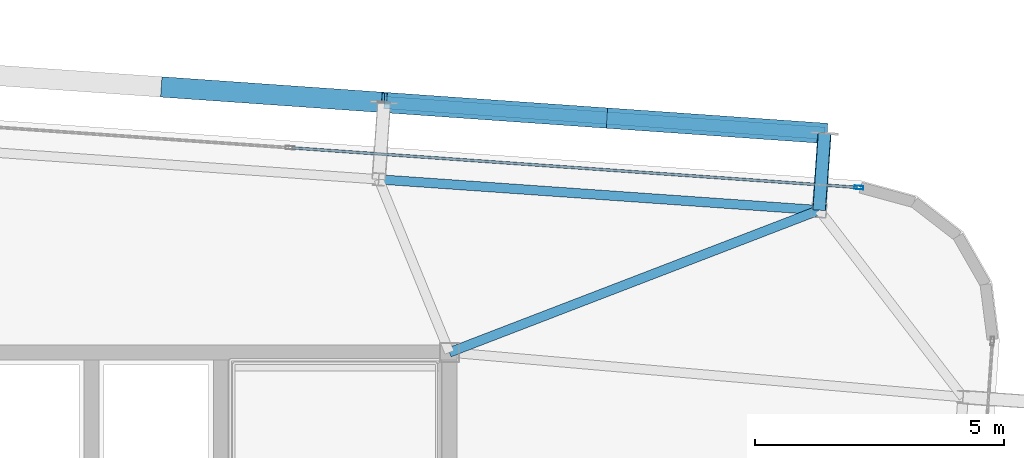
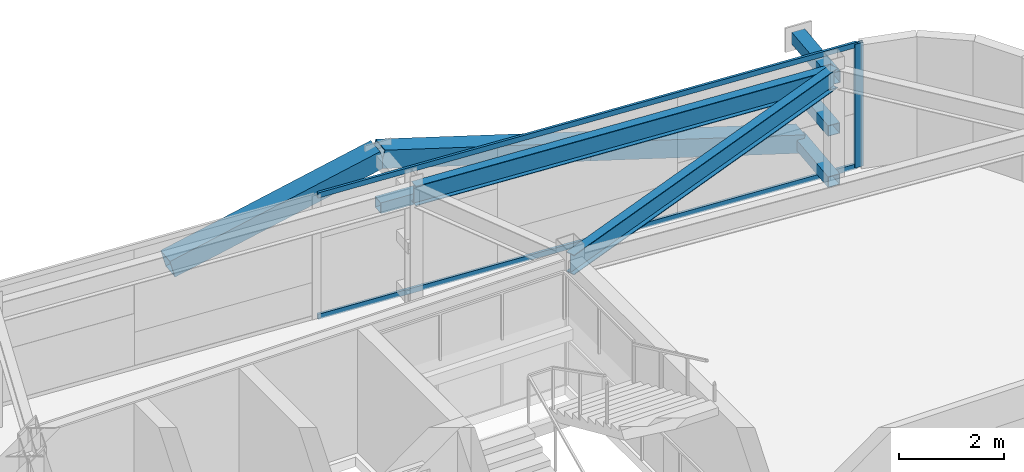
# One storey, part 24 of 39: 10 members, 2 beams, 1 element without a shape of its own.
"""IFC4 building model written with IfcOpenShell, lengths in metres."""

from ifc_helpers import new_model, si_unit, direction, frame, origin, origin_2d, place, context, subcontext, project, spatial, hollow_rectangle, i_section, extrude, source, transform, mapped, material, layer, layer_set, material_profile, profile_set, type_object, element, aggregate, save


model = new_model("IFC4")

# Units and contexts
model_context = context("Model", 3, precision=1e-05, world=origin(), true_north=direction((0.0, 1.0)))
body_context = subcontext(model_context, "Body", "Model", "MODEL_VIEW")
ifc_project = project(units=[si_unit("LENGTHUNIT", "METRE"), si_unit("AREAUNIT", "SQUARE_METRE"), si_unit("VOLUMEUNIT", "CUBIC_METRE"), si_unit("PLANEANGLEUNIT", "RADIAN"), si_unit("MASSUNIT", "GRAM", prefix="KILO")], contexts=[model_context])

# Site, building, storey
site_placement = place(None, origin())
site = spatial("IfcSite", under=ifc_project, at=site_placement, CompositionType="ELEMENT")
building_placement = place(site_placement, origin())
building = spatial("IfcBuilding", under=site, at=building_placement, Name="Taldren Reach Tower", CompositionType="ELEMENT")
storey_placement = place(building_placement, frame((0.0, 0.0, 161.35009765625)))
storey = spatial("IfcBuildingStorey", under=building, at=storey_placement, Name="L49", CompositionType="ELEMENT", Elevation=161.35009765625)

# Members
ifc_material_1 = material(Name="Steel Gr 450 (C450L0)", Category="steel")
ifc_material_profile_1 = material_profile(ifc_material_1, hollow_rectangle(XDim=0.27490234375, YDim=0.27490234375, WallThickness=0.00927734375, at=origin_2d()), Name="275x275x9.3SHS")
ifc_profile_set_1 = profile_set([ifc_material_profile_1], Name="Steel Gr 450 (C450L0)")
member_type_1 = type_object("IfcMemberType", Name="MB-TIE273", PredefinedType="STRUT", material=ifc_profile_set_1)
shared_shape_1 = source(origin(), body_context, "Body", "SweptSolid", [
    extrude(hollow_rectangle(XDim=0.27490234375, YDim=0.27490234375, WallThickness=0.00927734375, at=origin_2d()), origin(), (0.0, 0.0, 1.0), 1.5498046875),
])
member_1_placement = place(storey_placement, frame((58.4365234375, 34.861572265625, 2.58984375), z_axis=(0.069780535098, 0.997562367434, 0.0), x_axis=(-0.997562367434, 0.069780535098, 0.0)))
element("IfcMember", 1, at=member_1_placement, inside=storey, type_object=member_type_1, Name="Exoskeleton diaphragm tie strut B3-N6 L49", PredefinedType="STRUT", context=body_context, shape_type="MappedRepresentation", body=[
    mapped(shared_shape_1, transform((0.0, 0.0, 0.0), scale=1.0)),
])
ifc_material_2 = material(Name="Steel Gr 350 (C350L0)", Category="steel")
ifc_material_profile_2 = material_profile(ifc_material_2, hollow_rectangle(XDim=0.25, YDim=0.25, WallThickness=0.010009765625, at=origin_2d()), Name="250x250x10.0SHS")
ifc_profile_set_2 = profile_set([ifc_material_profile_2], Name="Steel Gr 350 (C350L0)")
member_type_2 = type_object("IfcMemberType", Name="MB-POST250", PredefinedType="POST", material=ifc_profile_set_2)
shared_shape_2 = source(origin(), body_context, "Body", "SweptSolid", [
    extrude(hollow_rectangle(XDim=0.25, YDim=0.25, WallThickness=0.010009765625, at=origin_2d()), origin(), (0.0, 0.0, 1.0), 1.5498046875),
])
for number, where, z_axis, x_axis, name in (
    (2, (58.4365234375, 34.861572265625, 0.219970703125), (0.069780535098, 0.997562367434, 0.0), (-0.997562367434, 0.069780535098, 0.0), "Exoskeleton base diaphragm tie strut B3-N6 L49"),
    (3, (58.4365234375, 34.861572265625, 1.40478515625), (0.069780535098, 0.997562367434, 0.0), (-0.997562367434, 0.069780535098, 0.0), "Exoskeleton mid-tier diaphragm tie B3-N6 L49"),
):
    element("IfcMember", number, at=place(storey_placement, frame(where, z_axis=z_axis, x_axis=x_axis)), inside=storey, type_object=member_type_2, Name=name, PredefinedType="POST", context=body_context, shape_type="MappedRepresentation", body=[
        mapped(shared_shape_2, transform((0.0, 0.0, 0.0), scale=1.0)),
    ])

# Beams
ifc_material_3 = material(Name="Steel Gr 350 (350PLUS)", Category="steel")
ifc_material_profile_3 = material_profile(ifc_material_3, i_section(OverallWidth=0.18994140625, OverallDepth=0.4541015625, WebThickness=0.008544921875, FlangeThickness=0.0126953125, at=origin_2d()), Name="460UB67.1")
ifc_profile_set_3 = profile_set([ifc_material_profile_3], Name="Steel Gr 350 (350PLUS)")
beam_type_1 = type_object("IfcBeamType", Name="SP-UB460B", PredefinedType="SPANDREL", material=ifc_profile_set_3)
shared_shape_3 = source(origin(), body_context, "Body", "SweptSolid", [
    extrude(i_section(OverallWidth=0.18994140625, OverallDepth=0.4541015625, WebThickness=0.008544921875, FlangeThickness=0.0126953125, at=origin_2d()), origin(), (0.0, 0.0, 1.0), 8.880126953125),
])
beam_1_placement = place(storey_placement, frame((58.4365234375, 34.861572265625, 2.642822265625), z_axis=(-0.997564479639, 0.069750333063, 0.0), x_axis=(-0.069750333063, -0.997564479639, 0.0)))
element("IfcBeam", 4, at=beam_1_placement, inside=storey, type_object=beam_type_1, Name="Perimeter spandrel B3 N6-N5 L49", PredefinedType="SPANDREL", context=body_context, shape_type="MappedRepresentation", body=[
    mapped(shared_shape_3, transform((0.0, 0.0, 0.0), scale=1.0)),
])
ifc_material_profile_4 = material_profile(ifc_material_3, i_section(OverallWidth=0.19091796875, OverallDepth=0.4599609375, WebThickness=0.010009765625, FlangeThickness=0.01611328125, at=origin_2d()), Name="460UB82.1")
ifc_profile_set_4 = profile_set([ifc_material_profile_4], Name="Steel Gr 350 (350PLUS)")
beam_type_2 = type_object("IfcBeamType", Name="BM-UB460A", PredefinedType="BEAM", material=ifc_profile_set_4)
shared_shape_4 = source(origin(), body_context, "Body", "SweptSolid", [
    extrude(i_section(OverallWidth=0.19091796875, OverallDepth=0.4599609375, WebThickness=0.010009765625, FlangeThickness=0.01611328125, at=origin_2d()), origin(), (0.0, 0.0, 1.0), 7.968017578125),
])
beam_2_placement = place(storey_placement, frame((51.0, 32.0, 2.639892578125), z_axis=(0.933287947144, 0.359128956943, 0.0), x_axis=(-0.359128956943, 0.933287947144, 0.0)))
element("IfcBeam", 5, at=beam_2_placement, inside=storey, type_object=beam_type_2, Name="Primary floor girder B3-N6 L49", PredefinedType="BEAM", context=body_context, shape_type="MappedRepresentation", body=[
    mapped(shared_shape_4, transform((0.0, 0.0, 0.0), scale=1.0)),
])

# Members
shared_shape_5 = source(origin(), body_context, "Body", "SweptSolid", [
    extrude(hollow_rectangle(XDim=0.25, YDim=0.25, WallThickness=0.010009765625, at=origin_2d()), origin(), (0.0, 0.0, 1.0), 8.880126953125),
])
member_2_placement = place(storey_placement, frame((49.686279296875, 37.02734375, 1.40478515625), z_axis=(0.997562566276, -0.06977769246, 0.0), x_axis=(0.06977769246, 0.997562566276, 0.0)))
element("IfcMember", 6, at=member_2_placement, inside=storey, type_object=member_type_2, Name="Exoskeleton mid-height ring chord B3-N5 L49", PredefinedType="POST", context=body_context, shape_type="MappedRepresentation", body=[
    mapped(shared_shape_5, transform((0.0, 0.0, 0.0), scale=1.0)),
])
ifc_material_profile_5 = material_profile(ifc_material_1, hollow_rectangle(XDim=0.409912109375, YDim=0.409912109375, WallThickness=0.01611328125, at=origin_2d()), Name="410x410x16.0SHS")
ifc_profile_set_5 = profile_set([ifc_material_profile_5], Name="Steel Gr 450 (C450L0)")
member_type_3 = type_object("IfcMemberType", Name="MB-EXO406", PredefinedType="BRACE", material=ifc_profile_set_5)
shared_shape_6 = source(origin(), body_context, "Body", "SweptSolid", [
    extrude(hollow_rectangle(XDim=0.409912109375, YDim=0.409912109375, WallThickness=0.01611328125, at=origin_2d()), origin(), (0.0, 0.0, 1.0), 4.595458984375),
])
for number, where, z_axis, x_axis, name in (
    (7, (45.257080078125, 37.3369140625, 1.40478515625), (0.963826332135, -0.067364777265, 0.257877467544), (0.069722973508, 0.997566392259, 0.0), "Exoskeleton Diagrid Brace B3-N4 L49"),
    (8, (58.544677734375, 36.40771484375, 0.219970703125), (-0.963836084766, 0.06741858624, 0.257826949585), (-0.06977769246, -0.997562566276, 0.0), "Exoskeleton Diagrid Brace B3-N5 L49"),
    (9, (54.115478515625, 36.717529296875, 1.40478515625), (-0.96382288138, 0.067417662687, 0.257876544274), (-0.06977769246, -0.997562566276, 0.0), "Exoskeleton Diagrid Brace B3-N5 L49"),
):
    element("IfcMember", number, at=place(storey_placement, frame(where, z_axis=z_axis, x_axis=x_axis)), inside=storey, type_object=member_type_3, Name=name, PredefinedType="BRACE", context=body_context, shape_type="MappedRepresentation", body=[
        mapped(shared_shape_6, transform((0.0, 0.0, 0.0), scale=1.0)),
    ])

# Curtain wall, members
ifc_material_4 = material(Name="Aluminium and Low-E Glass Unitised System", Category="aluminium")
ifc_layer = layer(ifc_material_4, 0.159912109375)
ifc_layer_set = layer_set([ifc_layer], Name="Aluminium and Low-E Glass Unitised System")
curtain_wall_type = type_object("IfcCurtainWallType", Name="CW-SYS-4", PredefinedType="NOTDEFINED", material=ifc_layer_set)
curtain_wall_placement = place(storey_placement, origin())
curtain_wall = element("IfcCurtainWall", 10, at=curtain_wall_placement, inside=storey, type_object=curtain_wall_type, Name="Unitised curtain wall CW-L49-N", PredefinedType="NOTDEFINED")
ifc_material_5 = material(Name="Anodised Aluminium 6063-T6", Category="aluminium")
ifc_material_profile_6 = material_profile(ifc_material_5, hollow_rectangle(XDim=0.054931640625, YDim=0.1201171875, WallThickness=0.0029296875, at=origin_2d()), Name="ALU-120x55x3RHS")
ifc_profile_set_6 = profile_set([ifc_material_profile_6], Name="Anodised Aluminium 6063-T6")
member_type_4 = type_object("IfcMemberType", Name="CW-TRN-135", PredefinedType="USERDEFINED", material=ifc_profile_set_6)
shared_shape_7 = source(origin(), body_context, "Body", "SweptSolid", [
    extrude(hollow_rectangle(XDim=0.054931640625, YDim=0.1201171875, WallThickness=0.0029296875, at=origin_2d()), origin(), (0.0, 0.0, 1.0), 11.39501953125),
])
member_3_placement = place(storey_placement, frame((59.2001953125, 35.3193359375, 0.02734375), z_axis=(-0.997563740682, 0.069760900766, 0.0), x_axis=(-0.069760900766, -0.997563740682, 0.0)))
member_3 = element("IfcMember", 11, at=member_3_placement, type_object=member_type_4, Name="CW-4 transom 1.1", ObjectType="TRANSOM", PredefinedType="USERDEFINED", context=body_context, shape_type="MappedRepresentation", body=[
    mapped(shared_shape_7, transform((0.0, 0.0, 0.0), scale=1.0)),
])
member_4_placement = place(storey_placement, frame((59.2001953125, 35.3193359375, 2.84228515625), z_axis=(-0.997563740682, 0.069760900766, 0.0), x_axis=(-0.069760900766, -0.997563740682, 0.0)))
member_4 = element("IfcMember", 12, at=member_4_placement, type_object=member_type_4, Name="CW-4 transom 1.2", ObjectType="TRANSOM", PredefinedType="USERDEFINED", context=body_context, shape_type="MappedRepresentation", body=[
    mapped(shared_shape_7, transform((0.0, 0.0, 0.0), scale=1.0)),
])
ifc_material_profile_7 = material_profile(ifc_material_5, hollow_rectangle(XDim=0.070068359375, YDim=0.179931640625, WallThickness=0.00390625, at=origin_2d()), Name="ALU-180x70x4RHS")
ifc_profile_set_7 = profile_set([ifc_material_profile_7], Name="Anodised Aluminium 6063-T6")
member_type_5 = type_object("IfcMemberType", Name="CW-MUL-180", PredefinedType="MULLION", material=ifc_profile_set_7)
shared_shape_8 = source(origin(), body_context, "Body", "SweptSolid", [
    extrude(hollow_rectangle(XDim=0.070068359375, YDim=0.179931640625, WallThickness=0.00390625, at=origin_2d()), origin(), (0.0, 0.0, 1.0), 2.869873046875),
])
member_5_placement = place(storey_placement, frame((59.235107421875, 35.31689453125, 0.0), z_axis=(0.0, 0.0, 1.0), x_axis=(-0.06975651593, -0.99756404731, 0.0)))
member_5 = element("IfcMember", 13, at=member_5_placement, type_object=member_type_5, Name="CW-4 mullion 1", PredefinedType="MULLION", context=body_context, shape_type="MappedRepresentation", body=[
    mapped(shared_shape_8, transform((0.0, 0.0, 0.0), scale=1.0)),
])
aggregate(curtain_wall, [member_5, member_3, member_4])

save(model, "model.ifc")
